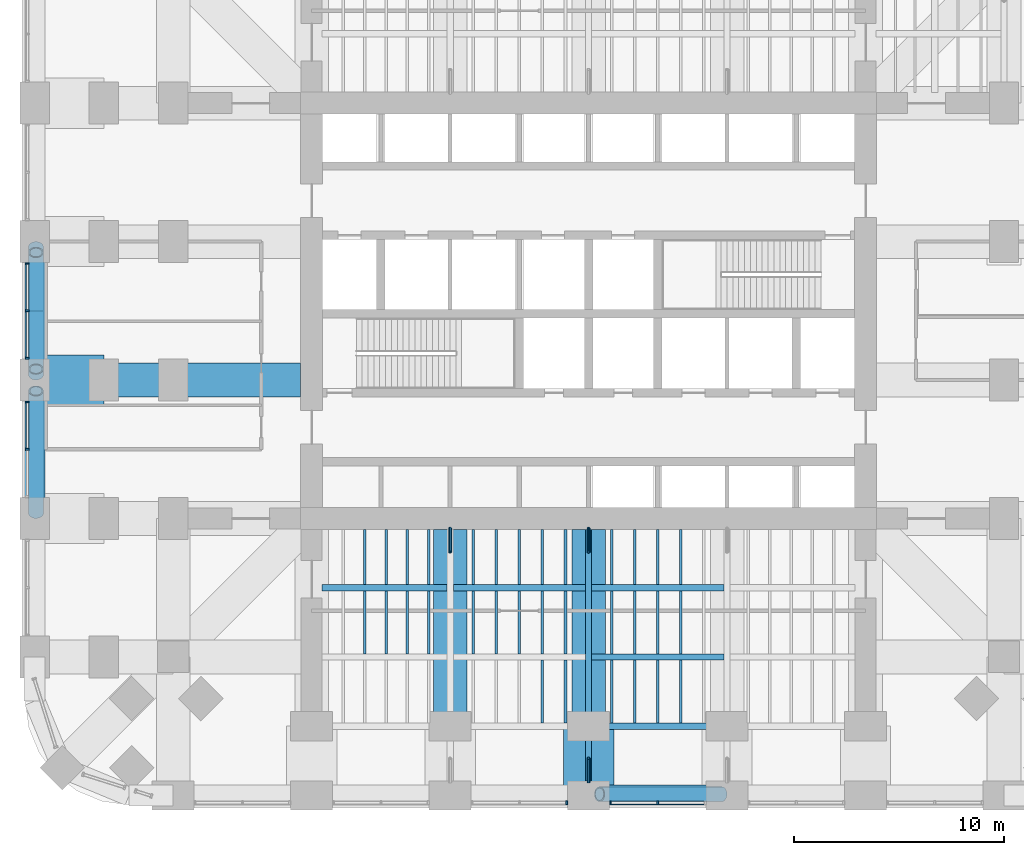
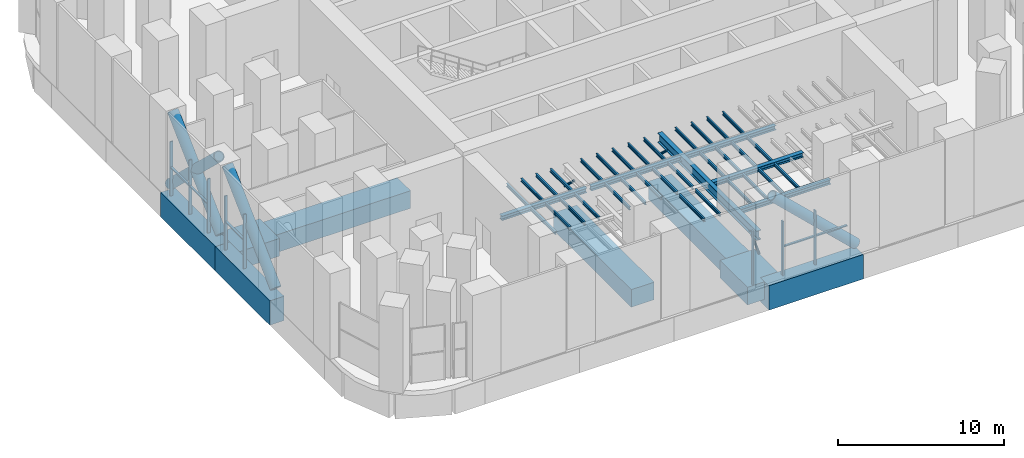
# One storey, part 3 of 17: 46 beams, 20 members, 4 elements without a shape of their own.
"""IFC4 building model written with IfcOpenShell, lengths in metres."""

from ifc_helpers import new_model, si_unit, direction, frame, origin, origin_2d, place, context, subcontext, project, spatial, rectangle, hollow_circle, i_section, extrude, material, material_profile, profile_set, type_object, element, aggregate, save


model = new_model("IFC4")

# Units and contexts
model_context = context("Model", 3, precision=1e-05, world=origin(), true_north=direction((0.0, 1.0)))
body_context = subcontext(model_context, "Body", "Model", "MODEL_VIEW")
ifc_project = project(units=[si_unit("LENGTHUNIT", "METRE"), si_unit("AREAUNIT", "SQUARE_METRE"), si_unit("VOLUMEUNIT", "CUBIC_METRE"), si_unit("PLANEANGLEUNIT", "RADIAN"), si_unit("MASSUNIT", "GRAM", prefix="KILO")], contexts=[model_context])

# Site, building, storey
site_placement = place(None, origin())
site = spatial("IfcSite", under=ifc_project, at=site_placement, CompositionType="ELEMENT")
building_placement = place(site_placement, origin())
building = spatial("IfcBuilding", under=site, at=building_placement, Name="Cobogo Forest Laboratory Tower", CompositionType="ELEMENT")
storey_placement = place(building_placement, frame((0.0, 0.0, 75.89990234375)))
storey = spatial("IfcBuildingStorey", under=building, at=storey_placement, Name="L17", CompositionType="ELEMENT", Elevation=75.89990234375)

# Members
ifc_material_1 = material(Name="Steel S460NH", Category="steel")
ifc_material_profile_1 = material_profile(ifc_material_1, hollow_circle(Radius=0.35546875, WallThickness=0.06005859375, at=origin_2d()), Name="CHS 711x60")
ifc_profile_set_1 = profile_set([ifc_material_profile_1], Name="Steel S460NH")
member_type_1 = type_object("IfcMemberType", Name="Belt truss diagonal CHS 711x60", PredefinedType="BRACE", material=ifc_profile_set_1)
for number, where, z_axis, x_axis, name in (
    (1, (32.75, 0.06005859375, 0.23876953125), (-0.723363796511, 0.0, 0.690467101242), (0.0, -1.0, 0.0), "BT1 belt truss diagonal S04 L17"),
    (2, (0.06005859375, 13.449951171875, 0.23876953125), (0.0, 0.723363796511, 0.690467101242), (-1.0, 0.0, 0.0), "BT1 belt truss diagonal W20 L17"),
    (3, (0.06005859375, 20.050048828125, 0.23876953125), (0.0, 0.723349354665, 0.69048223084), (-1.0, 0.0, 0.0), "BT1 belt truss diagonal W21 L17"),
    (4, (0.06005859375, 26.14990234375, 0.23876953125), (0.0, -0.723349354665, 0.69048223084), (1.0, 0.0, 0.0), "BT1 belt truss diagonal W22 L17"),
):
    element("IfcMember", number, at=place(storey_placement, frame(where, z_axis=z_axis, x_axis=x_axis)), inside=storey, type_object=member_type_1, Name=name, PredefinedType="BRACE", context=body_context, shape_type="SweptSolid", body=[
        extrude(hollow_circle(Radius=0.35546875, WallThickness=0.06005859375, at=origin_2d()), origin(), (0.0, 0.0, 1.0), 8.0595703125),
    ])

# Curtain wall, member
ifc_material_2 = material(Name="Aluminium curtain wall", Category="aluminium")
curtain_wall_type = type_object("IfcCurtainWallType", Name="CW-P louvred curtain wall, plant floors", PredefinedType="USERDEFINED", material=ifc_material_2)
curtain_wall_1_placement = place(storey_placement, origin())
curtain_wall_1 = element("IfcCurtainWall", 5, at=curtain_wall_1_placement, inside=storey, type_object=curtain_wall_type, Name="Curtain wall 03 L17", ObjectType="LOUVRED CURTAIN WALL", PredefinedType="USERDEFINED")
ifc_material_3 = material(Name="Aluminium mullion", Category="aluminium")
ifc_material_profile_2 = material_profile(ifc_material_3, rectangle(XDim=0.080078125, YDim=0.199951171875, at=origin_2d()), Name="AL 80x200")
ifc_profile_set_2 = profile_set([ifc_material_profile_2], Name="Aluminium mullion")
member_type_2 = type_object("IfcMemberType", Name="MU-3 aluminium louvre mullion 80x200", PredefinedType="MULLION", material=ifc_profile_set_2)
member_1_placement = place(storey_placement, frame((25.360107421875, -0.35009765625, 0.0), z_axis=(0.0, 0.0, 1.0), x_axis=(1.0, 0.0, 0.0)))
member_1 = element("IfcMember", 6, at=member_1_placement, type_object=member_type_2, Name="CW-P mullion 3", PredefinedType="MULLION", context=body_context, shape_type="SweptSolid", body=[
    extrude(rectangle(XDim=0.080078125, YDim=0.199951171875, at=origin_2d()), origin(), (0.0, 0.0, 1.0), 4.0),
])
aggregate(curtain_wall_1, [member_1])

# Curtain wall, members
curtain_wall_2_placement = place(storey_placement, origin())
curtain_wall_2 = element("IfcCurtainWall", 7, at=curtain_wall_2_placement, inside=storey, type_object=curtain_wall_type, Name="Curtain wall 04 L17", ObjectType="LOUVRED CURTAIN WALL", PredefinedType="USERDEFINED")
member_2_placement = place(storey_placement, frame((27.43994140625, -0.35009765625, 0.0), z_axis=(0.0, 0.0, 1.0), x_axis=(1.0, 0.0, 0.0)))
member_2 = element("IfcMember", 8, at=member_2_placement, type_object=member_type_2, Name="CW-P mullion 1", PredefinedType="MULLION", context=body_context, shape_type="SweptSolid", body=[
    extrude(rectangle(XDim=0.080078125, YDim=0.199951171875, at=origin_2d()), origin(), (0.0, 0.0, 1.0), 4.0),
])
member_3_placement = place(storey_placement, frame((29.699951171875, -0.35009765625, 0.0), z_axis=(0.0, 0.0, 1.0), x_axis=(1.0, 0.0, 0.0)))
member_3 = element("IfcMember", 9, at=member_3_placement, type_object=member_type_2, Name="CW-P mullion 2", PredefinedType="MULLION", context=body_context, shape_type="SweptSolid", body=[
    extrude(rectangle(XDim=0.080078125, YDim=0.199951171875, at=origin_2d()), origin(), (0.0, 0.0, 1.0), 4.0),
])

curtain_wall_3_placement = place(storey_placement, origin())
curtain_wall_3 = element("IfcCurtainWall", 10, at=curtain_wall_3_placement, inside=storey, type_object=curtain_wall_type, Name="Curtain wall 29 L17", ObjectType="LOUVRED CURTAIN WALL", PredefinedType="USERDEFINED")
member_4_placement = place(storey_placement, frame((-0.35009765625, 25.360107421875, 0.0), z_axis=(0.0, 0.0, 1.0), x_axis=(0.0, -1.0, 0.0)))
member_4 = element("IfcMember", 11, at=member_4_placement, type_object=member_type_2, Name="CW-P mullion 1", PredefinedType="MULLION", context=body_context, shape_type="SweptSolid", body=[
    extrude(rectangle(XDim=0.080078125, YDim=0.199951171875, at=origin_2d()), origin(), (0.0, 0.0, 1.0), 4.0),
])
member_5_placement = place(storey_placement, frame((-0.35009765625, 23.10009765625, 0.0), z_axis=(0.0, 0.0, 1.0), x_axis=(0.0, -1.0, 0.0)))
member_5 = element("IfcMember", 12, at=member_5_placement, type_object=member_type_2, Name="CW-P mullion 2", PredefinedType="MULLION", context=body_context, shape_type="SweptSolid", body=[
    extrude(rectangle(XDim=0.080078125, YDim=0.199951171875, at=origin_2d()), origin(), (0.0, 0.0, 1.0), 4.0),
])
member_6_placement = place(storey_placement, frame((-0.35009765625, 20.840087890625, 0.0), z_axis=(0.0, 0.0, 1.0), x_axis=(0.0, -1.0, 0.0)))
member_6 = element("IfcMember", 13, at=member_6_placement, type_object=member_type_2, Name="CW-P mullion 3", PredefinedType="MULLION", context=body_context, shape_type="SweptSolid", body=[
    extrude(rectangle(XDim=0.080078125, YDim=0.199951171875, at=origin_2d()), origin(), (0.0, 0.0, 1.0), 4.0),
])

curtain_wall_4_placement = place(storey_placement, origin())
curtain_wall_4 = element("IfcCurtainWall", 14, at=curtain_wall_4_placement, inside=storey, type_object=curtain_wall_type, Name="Curtain wall 30 L17", ObjectType="LOUVRED CURTAIN WALL", PredefinedType="USERDEFINED")
member_7_placement = place(storey_placement, frame((-0.35009765625, 18.760009765625, 0.0), z_axis=(0.0, 0.0, 1.0), x_axis=(0.0, -1.0, 0.0)))
member_7 = element("IfcMember", 15, at=member_7_placement, type_object=member_type_2, Name="CW-P mullion 1", PredefinedType="MULLION", context=body_context, shape_type="SweptSolid", body=[
    extrude(rectangle(XDim=0.080078125, YDim=0.199951171875, at=origin_2d()), origin(), (0.0, 0.0, 1.0), 4.0),
])
member_8_placement = place(storey_placement, frame((-0.35009765625, 16.5, 0.0), z_axis=(0.0, 0.0, 1.0), x_axis=(0.0, -1.0, 0.0)))
member_8 = element("IfcMember", 16, at=member_8_placement, type_object=member_type_2, Name="CW-P mullion 2", PredefinedType="MULLION", context=body_context, shape_type="SweptSolid", body=[
    extrude(rectangle(XDim=0.080078125, YDim=0.199951171875, at=origin_2d()), origin(), (0.0, 0.0, 1.0), 4.0),
])

# Beams
ifc_material_4 = material(Name="Concrete HA-40 (C40/50)", Category="concrete")
ifc_material_profile_3 = material_profile(ifc_material_4, rectangle(XDim=1.60009765625, YDim=1.300048828125, at=origin_2d()), Name="RC 1600x1300")
ifc_profile_set_3 = profile_set([ifc_material_profile_3], Name="Concrete HA-40 (C40/50)")
beam_type_1 = type_object("IfcBeamType", Name="Plant and roof garden wide beam 1600x1300", PredefinedType="BEAM", material=ifc_profile_set_3)
for number, where, z_axis, x_axis, name in (
    (17, (19.800048828125, 12.675048828125, -1.0), (0.0, -1.0, 0.0), (1.0, 0.0, 0.0), "RB4 R-4-S L17"),
    (18, (26.39990234375, 12.675048828125, -1.0), (0.0, -1.0, 0.0), (1.0, 0.0, 0.0), "RB4 R-5-S L17"),
    (19, (12.675048828125, 19.800048828125, -1.0), (-1.0, 0.0, 0.0), (0.0, -1.0, 0.0), "RB4 R-D-W L17"),
):
    element("IfcBeam", number, at=place(storey_placement, frame(where, z_axis=z_axis, x_axis=x_axis)), inside=storey, type_object=beam_type_1, Name=name, PredefinedType="BEAM", context=body_context, shape_type="SweptSolid", body=[
        extrude(rectangle(XDim=1.60009765625, YDim=1.300048828125, at=origin_2d()), origin(), (0.0, 0.0, 1.0), 9.375),
    ])
ifc_material_5 = material(Name="Concrete HA-50 (C50/60)", Category="concrete")
ifc_material_profile_4 = material_profile(ifc_material_5, rectangle(XDim=2.39990234375, YDim=1.300048828125, at=origin_2d()), Name="RC 2400x1300")
ifc_profile_set_4 = profile_set([ifc_material_profile_4], Name="Concrete HA-50 (C50/60)")
beam_type_2 = type_object("IfcBeamType", Name="Plant floor end-bay beam 2400x1300", PredefinedType="BEAM", material=ifc_profile_set_4)
for number, where, z_axis, x_axis, name in (
    (20, (26.39990234375, 0.0, -1.0), (0.0, 1.0, 0.0), (-1.0, 0.0, 0.0), "RB6 R-5-S-X L17"),
    (21, (0.0, 19.800048828125, -1.0), (1.0, 0.0, 0.0), (0.0, 1.0, 0.0), "RB6 R-D-W-X L17"),
):
    element("IfcBeam", number, at=place(storey_placement, frame(where, z_axis=z_axis, x_axis=x_axis)), inside=storey, type_object=beam_type_2, Name=name, PredefinedType="BEAM", context=body_context, shape_type="SweptSolid", body=[
        extrude(rectangle(XDim=2.39990234375, YDim=1.300048828125, at=origin_2d()), origin(), (0.0, 0.0, 1.0), 3.300048828125),
    ])
ifc_material_profile_5 = material_profile(ifc_material_4, rectangle(XDim=1.0, YDim=1.800048828125, at=origin_2d()), Name="RC 1000x1800")
ifc_profile_set_5 = profile_set([ifc_material_profile_5], Name="Concrete HA-40 (C40/50)")
beam_type_3 = type_object("IfcBeamType", Name="Plant floor perimeter girder 1000x1800", PredefinedType="BEAM", material=ifc_profile_set_5)
for number, where, z_axis, x_axis, name in (
    (22, (26.39990234375, 0.0, -1.25), (1.0, 0.0, 0.0), (0.0, 1.0, 0.0), "TG1 E-S4 L17"),
    (23, (0.0, 13.199951171875, -1.25), (0.0, 1.0, 0.0), (-1.0, 0.0, 0.0), "TG1 E-W2 L17"),
):
    element("IfcBeam", number, at=place(storey_placement, frame(where, z_axis=z_axis, x_axis=x_axis)), inside=storey, type_object=beam_type_3, Name=name, PredefinedType="BEAM", context=body_context, shape_type="SweptSolid", body=[
        extrude(rectangle(XDim=1.0, YDim=1.800048828125, at=origin_2d()), origin(), (0.0, 0.0, 1.0), 6.60009765625),
    ])
beam_1_placement = place(storey_placement, frame((0.0, 19.800048828125, -1.25), z_axis=(0.0, 1.0, 0.0), x_axis=(-1.0, 0.0, 0.0)))
element("IfcBeam", 24, at=beam_1_placement, inside=storey, type_object=beam_type_3, Name="TG1 E-W3 L17", PredefinedType="BEAM", context=body_context, shape_type="SweptSolid", body=[
    extrude(rectangle(XDim=1.0, YDim=1.800048828125, at=origin_2d()), origin(), (0.0, 0.0, 1.0), 6.599853515625),
])

# Members
ifc_material_6 = material(Name="Steel S355", Category="steel")
ifc_material_profile_6 = material_profile(ifc_material_6, hollow_circle(Radius=0.084228515625, WallThickness=0.008056640625, at=origin_2d()), Name="CHS 168.3x8")
ifc_profile_set_6 = profile_set([ifc_material_profile_6], Name="Steel S355")
member_type_3 = type_object("IfcMemberType", Name="Plant knee brace CHS 168.3x8", PredefinedType="BRACE", material=ifc_profile_set_6)
for number, where, z_axis, x_axis, name in (
    (25, (19.800048828125, 12.734619140625, 1.300048828125), (0.0, -0.727221301203, 0.686403073329), (1.0, 0.0, 0.0), "PX1 AHU-S knee brace 4-2 L17"),
    (26, (26.39990234375, 0.640380859375, 1.300048828125), (0.0, 0.727221301203, 0.686403073329), (-1.0, 0.0, 0.0), "PX1 AHU-S knee brace 5-1 L17"),
    (27, (26.39990234375, 12.734619140625, 1.300048828125), (0.0, -0.727221301203, 0.686403073329), (1.0, 0.0, 0.0), "PX1 AHU-S knee brace 5-2 L17"),
):
    element("IfcMember", number, at=place(storey_placement, frame(where, z_axis=z_axis, x_axis=x_axis)), inside=storey, type_object=member_type_3, Name=name, PredefinedType="BRACE", context=body_context, shape_type="SweptSolid", body=[
        extrude(hollow_circle(Radius=0.084228515625, WallThickness=0.008056640625, at=origin_2d()), origin(), (0.0, 0.0, 1.0), 1.56103515625),
    ])

# Beams
ifc_material_profile_7 = material_profile(ifc_material_6, i_section(OverallWidth=0.300048828125, OverallDepth=0.330078125, WebThickness=0.009521484375, FlangeThickness=0.0166015625, FilletRadius=0.027099609375, at=origin_2d()), Name="HEA 340")
ifc_profile_set_7 = profile_set([ifc_material_profile_7], Name="Steel S355")
beam_type_4 = type_object("IfcBeamType", Name="Plant platform beam HEA 340", PredefinedType="BEAM", material=ifc_profile_set_7)
for number, where, z_axis, x_axis, name in (
    (28, (26.550048828125, 3.300048828125, 2.835205078125), (1.0, 0.0, 0.0), (0.0, 1.0, 0.0), "PB1 AHU-S platform beam 3 at 3300 L17"),
    (29, (26.550048828125, 6.60009765625, 2.835205078125), (1.0, 0.0, 0.0), (0.0, 1.0, 0.0), "PB1 AHU-S platform beam 3 at 6600 L17"),
):
    element("IfcBeam", number, at=place(storey_placement, frame(where, z_axis=z_axis, x_axis=x_axis)), inside=storey, type_object=beam_type_4, Name=name, PredefinedType="BEAM", context=body_context, shape_type="SweptSolid", body=[
        extrude(i_section(OverallWidth=0.300048828125, OverallDepth=0.330078125, WebThickness=0.009521484375, FlangeThickness=0.0166015625, FilletRadius=0.027099609375, at=origin_2d()), origin(), (0.0, 0.0, 1.0), 6.300048828125),
    ])
beam_2_placement = place(storey_placement, frame((13.699951171875, 9.89990234375, 2.835205078125), z_axis=(1.0, 0.0, 0.0), x_axis=(0.0, 1.0, 0.0)))
element("IfcBeam", 30, at=beam_2_placement, inside=storey, type_object=beam_type_4, Name="PB1 AHU-S platform beam 1 at 9900 L17", PredefinedType="BEAM", context=body_context, shape_type="SweptSolid", body=[
    extrude(i_section(OverallWidth=0.300048828125, OverallDepth=0.330078125, WebThickness=0.009521484375, FlangeThickness=0.0166015625, FilletRadius=0.027099609375, at=origin_2d()), origin(), (0.0, 0.0, 1.0), 5.949951171875),
])
for number, where, z_axis, x_axis, name in (
    (31, (19.949951171875, 9.89990234375, 2.835205078125), (1.0, 0.0, 0.0), (0.0, 1.0, 0.0), "PB1 AHU-S platform beam 2 at 9900 L17"),
    (32, (26.550048828125, 9.89990234375, 2.835205078125), (1.0, 0.0, 0.0), (0.0, 1.0, 0.0), "PB1 AHU-S platform beam 3 at 9900 L17"),
):
    element("IfcBeam", number, at=place(storey_placement, frame(where, z_axis=z_axis, x_axis=x_axis)), inside=storey, type_object=beam_type_4, Name=name, PredefinedType="BEAM", context=body_context, shape_type="SweptSolid", body=[
        extrude(i_section(OverallWidth=0.300048828125, OverallDepth=0.330078125, WebThickness=0.009521484375, FlangeThickness=0.0166015625, FilletRadius=0.027099609375, at=origin_2d()), origin(), (0.0, 0.0, 1.0), 6.300048828125),
    ])
ifc_material_profile_8 = material_profile(ifc_material_6, i_section(OverallWidth=0.300048828125, OverallDepth=0.699951171875, WebThickness=0.01708984375, FlangeThickness=0.031982421875, FilletRadius=0.027099609375, at=origin_2d()), Name="HEB 700")
ifc_profile_set_8 = profile_set([ifc_material_profile_8], Name="Steel S355")
beam_type_5 = type_object("IfcBeamType", Name="Plant platform girder HEB 700", PredefinedType="BEAM", material=ifc_profile_set_8)
beam_3_placement = place(storey_placement, frame((26.39990234375, 0.699951171875, 2.650146484375), z_axis=(0.0, 1.0, 0.0), x_axis=(-1.0, 0.0, 0.0)))
element("IfcBeam", 33, at=beam_3_placement, inside=storey, type_object=beam_type_5, Name="PG1 AHU-S girder 5 L17", PredefinedType="BEAM", context=body_context, shape_type="SweptSolid", body=[
    extrude(i_section(OverallWidth=0.300048828125, OverallDepth=0.699951171875, WebThickness=0.01708984375, FlangeThickness=0.031982421875, FilletRadius=0.027099609375, at=origin_2d()), origin(), (0.0, 0.0, 1.0), 11.97509765625),
])
ifc_material_profile_9 = material_profile(ifc_material_6, i_section(OverallWidth=0.1201171875, OverallDepth=0.239990234375, WebThickness=0.006103515625, FlangeThickness=0.009765625, FilletRadius=0.014892578125, at=origin_2d()), Name="IPE 240")
ifc_profile_set_9 = profile_set([ifc_material_profile_9], Name="Steel S355")
beam_type_6 = type_object("IfcBeamType", Name="Plant platform joist IPE 240", PredefinedType="JOIST", material=ifc_profile_set_9)
beam_4_placement = place(storey_placement, frame((15.7333984375, 6.75, 2.880126953125), z_axis=(0.0, 1.0, 0.0), x_axis=(-1.0, 0.0, 0.0)))
element("IfcBeam", 34, at=beam_4_placement, inside=storey, type_object=beam_type_6, Name="PJ1 AHU-S joist 1.2 row 2 L17", PredefinedType="JOIST", context=body_context, shape_type="SweptSolid", body=[
    extrude(i_section(OverallWidth=0.1201171875, OverallDepth=0.239990234375, WebThickness=0.006103515625, FlangeThickness=0.009765625, FilletRadius=0.014892578125, at=origin_2d()), origin(), (0.0, 0.0, 1.0), 3.0),
])
beam_5_placement = place(storey_placement, frame((15.7333984375, 10.050048828125, 2.880126953125), z_axis=(0.0, 1.0, 0.0), x_axis=(-1.0, 0.0, 0.0)))
element("IfcBeam", 35, at=beam_5_placement, inside=storey, type_object=beam_type_6, Name="PJ1 AHU-S joist 1.2 row 3 L17", PredefinedType="JOIST", context=body_context, shape_type="SweptSolid", body=[
    extrude(i_section(OverallWidth=0.1201171875, OverallDepth=0.239990234375, WebThickness=0.006103515625, FlangeThickness=0.009765625, FilletRadius=0.014892578125, at=origin_2d()), origin(), (0.0, 0.0, 1.0), 2.625),
])
beam_6_placement = place(storey_placement, frame((16.75, 6.75, 2.880126953125), z_axis=(0.0, 1.0, 0.0), x_axis=(-1.0, 0.0, 0.0)))
element("IfcBeam", 36, at=beam_6_placement, inside=storey, type_object=beam_type_6, Name="PJ1 AHU-S joist 1.3 row 2 L17", PredefinedType="JOIST", context=body_context, shape_type="SweptSolid", body=[
    extrude(i_section(OverallWidth=0.1201171875, OverallDepth=0.239990234375, WebThickness=0.006103515625, FlangeThickness=0.009765625, FilletRadius=0.014892578125, at=origin_2d()), origin(), (0.0, 0.0, 1.0), 3.0),
])
beam_7_placement = place(storey_placement, frame((16.75, 10.050048828125, 2.880126953125), z_axis=(0.0, 1.0, 0.0), x_axis=(-1.0, 0.0, 0.0)))
element("IfcBeam", 37, at=beam_7_placement, inside=storey, type_object=beam_type_6, Name="PJ1 AHU-S joist 1.3 row 3 L17", PredefinedType="JOIST", context=body_context, shape_type="SweptSolid", body=[
    extrude(i_section(OverallWidth=0.1201171875, OverallDepth=0.239990234375, WebThickness=0.006103515625, FlangeThickness=0.009765625, FilletRadius=0.014892578125, at=origin_2d()), origin(), (0.0, 0.0, 1.0), 2.625),
])
beam_8_placement = place(storey_placement, frame((17.7666015625, 6.75, 2.880126953125), z_axis=(0.0, 1.0, 0.0), x_axis=(-1.0, 0.0, 0.0)))
element("IfcBeam", 38, at=beam_8_placement, inside=storey, type_object=beam_type_6, Name="PJ1 AHU-S joist 1.4 row 2 L17", PredefinedType="JOIST", context=body_context, shape_type="SweptSolid", body=[
    extrude(i_section(OverallWidth=0.1201171875, OverallDepth=0.239990234375, WebThickness=0.006103515625, FlangeThickness=0.009765625, FilletRadius=0.014892578125, at=origin_2d()), origin(), (0.0, 0.0, 1.0), 3.0),
])
beam_9_placement = place(storey_placement, frame((17.7666015625, 10.050048828125, 2.880126953125), z_axis=(0.0, 1.0, 0.0), x_axis=(-1.0, 0.0, 0.0)))
element("IfcBeam", 39, at=beam_9_placement, inside=storey, type_object=beam_type_6, Name="PJ1 AHU-S joist 1.4 row 3 L17", PredefinedType="JOIST", context=body_context, shape_type="SweptSolid", body=[
    extrude(i_section(OverallWidth=0.1201171875, OverallDepth=0.239990234375, WebThickness=0.006103515625, FlangeThickness=0.009765625, FilletRadius=0.014892578125, at=origin_2d()), origin(), (0.0, 0.0, 1.0), 2.625),
])
beam_10_placement = place(storey_placement, frame((18.783447265625, 6.75, 2.880126953125), z_axis=(0.0, 1.0, 0.0), x_axis=(-1.0, 0.0, 0.0)))
element("IfcBeam", 40, at=beam_10_placement, inside=storey, type_object=beam_type_6, Name="PJ1 AHU-S joist 1.5 row 2 L17", PredefinedType="JOIST", context=body_context, shape_type="SweptSolid", body=[
    extrude(i_section(OverallWidth=0.1201171875, OverallDepth=0.239990234375, WebThickness=0.006103515625, FlangeThickness=0.009765625, FilletRadius=0.014892578125, at=origin_2d()), origin(), (0.0, 0.0, 1.0), 3.0),
])
beam_11_placement = place(storey_placement, frame((18.783447265625, 10.050048828125, 2.880126953125), z_axis=(0.0, 1.0, 0.0), x_axis=(-1.0, 0.0, 0.0)))
element("IfcBeam", 41, at=beam_11_placement, inside=storey, type_object=beam_type_6, Name="PJ1 AHU-S joist 1.5 row 3 L17", PredefinedType="JOIST", context=body_context, shape_type="SweptSolid", body=[
    extrude(i_section(OverallWidth=0.1201171875, OverallDepth=0.239990234375, WebThickness=0.006103515625, FlangeThickness=0.009765625, FilletRadius=0.014892578125, at=origin_2d()), origin(), (0.0, 0.0, 1.0), 2.625),
])
beam_12_placement = place(storey_placement, frame((20.89990234375, 6.75, 2.880126953125), z_axis=(0.0, 1.0, 0.0), x_axis=(-1.0, 0.0, 0.0)))
element("IfcBeam", 42, at=beam_12_placement, inside=storey, type_object=beam_type_6, Name="PJ1 AHU-S joist 2.1 row 2 L17", PredefinedType="JOIST", context=body_context, shape_type="SweptSolid", body=[
    extrude(i_section(OverallWidth=0.1201171875, OverallDepth=0.239990234375, WebThickness=0.006103515625, FlangeThickness=0.009765625, FilletRadius=0.014892578125, at=origin_2d()), origin(), (0.0, 0.0, 1.0), 3.0),
])
beam_13_placement = place(storey_placement, frame((20.89990234375, 10.050048828125, 2.880126953125), z_axis=(0.0, 1.0, 0.0), x_axis=(-1.0, 0.0, 0.0)))
element("IfcBeam", 43, at=beam_13_placement, inside=storey, type_object=beam_type_6, Name="PJ1 AHU-S joist 2.1 row 3 L17", PredefinedType="JOIST", context=body_context, shape_type="SweptSolid", body=[
    extrude(i_section(OverallWidth=0.1201171875, OverallDepth=0.239990234375, WebThickness=0.006103515625, FlangeThickness=0.009765625, FilletRadius=0.014892578125, at=origin_2d()), origin(), (0.0, 0.0, 1.0), 2.625),
])
beam_14_placement = place(storey_placement, frame((22.0, 6.75, 2.880126953125), z_axis=(0.0, 1.0, 0.0), x_axis=(-1.0, 0.0, 0.0)))
element("IfcBeam", 44, at=beam_14_placement, inside=storey, type_object=beam_type_6, Name="PJ1 AHU-S joist 2.2 row 2 L17", PredefinedType="JOIST", context=body_context, shape_type="SweptSolid", body=[
    extrude(i_section(OverallWidth=0.1201171875, OverallDepth=0.239990234375, WebThickness=0.006103515625, FlangeThickness=0.009765625, FilletRadius=0.014892578125, at=origin_2d()), origin(), (0.0, 0.0, 1.0), 3.0),
])
beam_15_placement = place(storey_placement, frame((22.0, 10.050048828125, 2.880126953125), z_axis=(0.0, 1.0, 0.0), x_axis=(-1.0, 0.0, 0.0)))
element("IfcBeam", 45, at=beam_15_placement, inside=storey, type_object=beam_type_6, Name="PJ1 AHU-S joist 2.2 row 3 L17", PredefinedType="JOIST", context=body_context, shape_type="SweptSolid", body=[
    extrude(i_section(OverallWidth=0.1201171875, OverallDepth=0.239990234375, WebThickness=0.006103515625, FlangeThickness=0.009765625, FilletRadius=0.014892578125, at=origin_2d()), origin(), (0.0, 0.0, 1.0), 2.625),
])
beam_16_placement = place(storey_placement, frame((23.10009765625, 6.75, 2.880126953125), z_axis=(0.0, 1.0, 0.0), x_axis=(-1.0, 0.0, 0.0)))
element("IfcBeam", 46, at=beam_16_placement, inside=storey, type_object=beam_type_6, Name="PJ1 AHU-S joist 2.3 row 2 L17", PredefinedType="JOIST", context=body_context, shape_type="SweptSolid", body=[
    extrude(i_section(OverallWidth=0.1201171875, OverallDepth=0.239990234375, WebThickness=0.006103515625, FlangeThickness=0.009765625, FilletRadius=0.014892578125, at=origin_2d()), origin(), (0.0, 0.0, 1.0), 3.0),
])
beam_17_placement = place(storey_placement, frame((23.10009765625, 10.050048828125, 2.880126953125), z_axis=(0.0, 1.0, 0.0), x_axis=(-1.0, 0.0, 0.0)))
element("IfcBeam", 47, at=beam_17_placement, inside=storey, type_object=beam_type_6, Name="PJ1 AHU-S joist 2.3 row 3 L17", PredefinedType="JOIST", context=body_context, shape_type="SweptSolid", body=[
    extrude(i_section(OverallWidth=0.1201171875, OverallDepth=0.239990234375, WebThickness=0.006103515625, FlangeThickness=0.009765625, FilletRadius=0.014892578125, at=origin_2d()), origin(), (0.0, 0.0, 1.0), 2.625),
])
for number, where, z_axis, x_axis, name in (
    (48, (24.199951171875, 3.449951171875, 2.880126953125), (0.0, 1.0, 0.0), (-1.0, 0.0, 0.0), "PJ1 AHU-S joist 2.4 row 1 L17"),
    (49, (24.199951171875, 6.75, 2.880126953125), (0.0, 1.0, 0.0), (-1.0, 0.0, 0.0), "PJ1 AHU-S joist 2.4 row 2 L17"),
):
    element("IfcBeam", number, at=place(storey_placement, frame(where, z_axis=z_axis, x_axis=x_axis)), inside=storey, type_object=beam_type_6, Name=name, PredefinedType="JOIST", context=body_context, shape_type="SweptSolid", body=[
        extrude(i_section(OverallWidth=0.1201171875, OverallDepth=0.239990234375, WebThickness=0.006103515625, FlangeThickness=0.009765625, FilletRadius=0.014892578125, at=origin_2d()), origin(), (0.0, 0.0, 1.0), 3.0),
    ])
beam_18_placement = place(storey_placement, frame((24.199951171875, 10.050048828125, 2.880126953125), z_axis=(0.0, 1.0, 0.0), x_axis=(-1.0, 0.0, 0.0)))
element("IfcBeam", 50, at=beam_18_placement, inside=storey, type_object=beam_type_6, Name="PJ1 AHU-S joist 2.4 row 3 L17", PredefinedType="JOIST", context=body_context, shape_type="SweptSolid", body=[
    extrude(i_section(OverallWidth=0.1201171875, OverallDepth=0.239990234375, WebThickness=0.006103515625, FlangeThickness=0.009765625, FilletRadius=0.014892578125, at=origin_2d()), origin(), (0.0, 0.0, 1.0), 2.625),
])
for number, where, z_axis, x_axis, name in (
    (51, (25.300048828125, 3.449951171875, 2.880126953125), (0.0, 1.0, 0.0), (-1.0, 0.0, 0.0), "PJ1 AHU-S joist 2.5 row 1 L17"),
    (52, (25.300048828125, 6.75, 2.880126953125), (0.0, 1.0, 0.0), (-1.0, 0.0, 0.0), "PJ1 AHU-S joist 2.5 row 2 L17"),
):
    element("IfcBeam", number, at=place(storey_placement, frame(where, z_axis=z_axis, x_axis=x_axis)), inside=storey, type_object=beam_type_6, Name=name, PredefinedType="JOIST", context=body_context, shape_type="SweptSolid", body=[
        extrude(i_section(OverallWidth=0.1201171875, OverallDepth=0.239990234375, WebThickness=0.006103515625, FlangeThickness=0.009765625, FilletRadius=0.014892578125, at=origin_2d()), origin(), (0.0, 0.0, 1.0), 3.0),
    ])
beam_19_placement = place(storey_placement, frame((25.300048828125, 10.050048828125, 2.880126953125), z_axis=(0.0, 1.0, 0.0), x_axis=(-1.0, 0.0, 0.0)))
element("IfcBeam", 53, at=beam_19_placement, inside=storey, type_object=beam_type_6, Name="PJ1 AHU-S joist 2.5 row 3 L17", PredefinedType="JOIST", context=body_context, shape_type="SweptSolid", body=[
    extrude(i_section(OverallWidth=0.1201171875, OverallDepth=0.239990234375, WebThickness=0.006103515625, FlangeThickness=0.009765625, FilletRadius=0.014892578125, at=origin_2d()), origin(), (0.0, 0.0, 1.0), 2.625),
])
for number, where, z_axis, x_axis, name in (
    (54, (27.5, 3.449951171875, 2.880126953125), (0.0, 1.0, 0.0), (-1.0, 0.0, 0.0), "PJ1 AHU-S joist 3.1 row 1 L17"),
    (55, (27.5, 6.75, 2.880126953125), (0.0, 1.0, 0.0), (-1.0, 0.0, 0.0), "PJ1 AHU-S joist 3.1 row 2 L17"),
):
    element("IfcBeam", number, at=place(storey_placement, frame(where, z_axis=z_axis, x_axis=x_axis)), inside=storey, type_object=beam_type_6, Name=name, PredefinedType="JOIST", context=body_context, shape_type="SweptSolid", body=[
        extrude(i_section(OverallWidth=0.1201171875, OverallDepth=0.239990234375, WebThickness=0.006103515625, FlangeThickness=0.009765625, FilletRadius=0.014892578125, at=origin_2d()), origin(), (0.0, 0.0, 1.0), 3.0),
    ])
beam_20_placement = place(storey_placement, frame((27.5, 10.050048828125, 2.880126953125), z_axis=(0.0, 1.0, 0.0), x_axis=(-1.0, 0.0, 0.0)))
element("IfcBeam", 56, at=beam_20_placement, inside=storey, type_object=beam_type_6, Name="PJ1 AHU-S joist 3.1 row 3 L17", PredefinedType="JOIST", context=body_context, shape_type="SweptSolid", body=[
    extrude(i_section(OverallWidth=0.1201171875, OverallDepth=0.239990234375, WebThickness=0.006103515625, FlangeThickness=0.009765625, FilletRadius=0.014892578125, at=origin_2d()), origin(), (0.0, 0.0, 1.0), 2.625),
])
for number, where, z_axis, x_axis, name in (
    (57, (28.60009765625, 3.449951171875, 2.880126953125), (0.0, 1.0, 0.0), (-1.0, 0.0, 0.0), "PJ1 AHU-S joist 3.2 row 1 L17"),
    (58, (28.60009765625, 6.75, 2.880126953125), (0.0, 1.0, 0.0), (-1.0, 0.0, 0.0), "PJ1 AHU-S joist 3.2 row 2 L17"),
):
    element("IfcBeam", number, at=place(storey_placement, frame(where, z_axis=z_axis, x_axis=x_axis)), inside=storey, type_object=beam_type_6, Name=name, PredefinedType="JOIST", context=body_context, shape_type="SweptSolid", body=[
        extrude(i_section(OverallWidth=0.1201171875, OverallDepth=0.239990234375, WebThickness=0.006103515625, FlangeThickness=0.009765625, FilletRadius=0.014892578125, at=origin_2d()), origin(), (0.0, 0.0, 1.0), 3.0),
    ])
beam_21_placement = place(storey_placement, frame((28.60009765625, 10.050048828125, 2.880126953125), z_axis=(0.0, 1.0, 0.0), x_axis=(-1.0, 0.0, 0.0)))
element("IfcBeam", 59, at=beam_21_placement, inside=storey, type_object=beam_type_6, Name="PJ1 AHU-S joist 3.2 row 3 L17", PredefinedType="JOIST", context=body_context, shape_type="SweptSolid", body=[
    extrude(i_section(OverallWidth=0.1201171875, OverallDepth=0.239990234375, WebThickness=0.006103515625, FlangeThickness=0.009765625, FilletRadius=0.014892578125, at=origin_2d()), origin(), (0.0, 0.0, 1.0), 2.625),
])
for number, where, z_axis, x_axis, name in (
    (60, (29.699951171875, 3.449951171875, 2.880126953125), (0.0, 1.0, 0.0), (-1.0, 0.0, 0.0), "PJ1 AHU-S joist 3.3 row 1 L17"),
    (61, (29.699951171875, 6.75, 2.880126953125), (0.0, 1.0, 0.0), (-1.0, 0.0, 0.0), "PJ1 AHU-S joist 3.3 row 2 L17"),
):
    element("IfcBeam", number, at=place(storey_placement, frame(where, z_axis=z_axis, x_axis=x_axis)), inside=storey, type_object=beam_type_6, Name=name, PredefinedType="JOIST", context=body_context, shape_type="SweptSolid", body=[
        extrude(i_section(OverallWidth=0.1201171875, OverallDepth=0.239990234375, WebThickness=0.006103515625, FlangeThickness=0.009765625, FilletRadius=0.014892578125, at=origin_2d()), origin(), (0.0, 0.0, 1.0), 3.0),
    ])
beam_22_placement = place(storey_placement, frame((29.699951171875, 10.050048828125, 2.880126953125), z_axis=(0.0, 1.0, 0.0), x_axis=(-1.0, 0.0, 0.0)))
element("IfcBeam", 62, at=beam_22_placement, inside=storey, type_object=beam_type_6, Name="PJ1 AHU-S joist 3.3 row 3 L17", PredefinedType="JOIST", context=body_context, shape_type="SweptSolid", body=[
    extrude(i_section(OverallWidth=0.1201171875, OverallDepth=0.239990234375, WebThickness=0.006103515625, FlangeThickness=0.009765625, FilletRadius=0.014892578125, at=origin_2d()), origin(), (0.0, 0.0, 1.0), 2.625),
])
for number, where, z_axis, x_axis, name in (
    (63, (30.800048828125, 3.449951171875, 2.880126953125), (0.0, 1.0, 0.0), (-1.0, 0.0, 0.0), "PJ1 AHU-S joist 3.4 row 1 L17"),
    (64, (30.800048828125, 6.75, 2.880126953125), (0.0, 1.0, 0.0), (-1.0, 0.0, 0.0), "PJ1 AHU-S joist 3.4 row 2 L17"),
):
    element("IfcBeam", number, at=place(storey_placement, frame(where, z_axis=z_axis, x_axis=x_axis)), inside=storey, type_object=beam_type_6, Name=name, PredefinedType="JOIST", context=body_context, shape_type="SweptSolid", body=[
        extrude(i_section(OverallWidth=0.1201171875, OverallDepth=0.239990234375, WebThickness=0.006103515625, FlangeThickness=0.009765625, FilletRadius=0.014892578125, at=origin_2d()), origin(), (0.0, 0.0, 1.0), 3.0),
    ])
beam_23_placement = place(storey_placement, frame((30.800048828125, 10.050048828125, 2.880126953125), z_axis=(0.0, 1.0, 0.0), x_axis=(-1.0, 0.0, 0.0)))
element("IfcBeam", 65, at=beam_23_placement, inside=storey, type_object=beam_type_6, Name="PJ1 AHU-S joist 3.4 row 3 L17", PredefinedType="JOIST", context=body_context, shape_type="SweptSolid", body=[
    extrude(i_section(OverallWidth=0.1201171875, OverallDepth=0.239990234375, WebThickness=0.006103515625, FlangeThickness=0.009765625, FilletRadius=0.014892578125, at=origin_2d()), origin(), (0.0, 0.0, 1.0), 2.625),
])

# Member
ifc_material_7 = material(Name="Aluminium transom", Category="aluminium")
ifc_material_profile_10 = material_profile(ifc_material_7, rectangle(XDim=0.14990234375, YDim=0.080078125, at=origin_2d()), Name="AL 80x150")
ifc_profile_set_10 = profile_set([ifc_material_profile_10], Name="Aluminium transom")
member_type_4 = type_object("IfcMemberType", Name="TR-2 aluminium louvre transom 80x150", PredefinedType="USERDEFINED", material=ifc_profile_set_10)
member_9_placement = place(storey_placement, frame((27.47998046875, -0.35009765625, 2.10009765625), z_axis=(1.0, 0.0, 0.0), x_axis=(0.0, 1.0, 0.0)))
member_9 = element("IfcMember", 66, at=member_9_placement, type_object=member_type_4, Name="CW-P transom 1.1", ObjectType="TRANSOM", PredefinedType="USERDEFINED", context=body_context, shape_type="SweptSolid", body=[
    extrude(rectangle(XDim=0.14990234375, YDim=0.080078125, at=origin_2d()), origin(), (0.0, 0.0, 1.0), 2.179931640625),
])

member_10_placement = place(storey_placement, frame((29.739990234375, -0.35009765625, 2.10009765625), z_axis=(1.0, 0.0, 0.0), x_axis=(0.0, 1.0, 0.0)))
member_10 = element("IfcMember", 67, at=member_10_placement, type_object=member_type_4, Name="CW-P transom 2.1", ObjectType="TRANSOM", PredefinedType="USERDEFINED", context=body_context, shape_type="SweptSolid", body=[
    extrude(rectangle(XDim=0.14990234375, YDim=0.080078125, at=origin_2d()), origin(), (0.0, 0.0, 1.0), 2.179931640625),
])

aggregate(curtain_wall_2, [member_2, member_3, member_9, member_10])

member_11_placement = place(storey_placement, frame((-0.35009765625, 25.320068359375, 2.10009765625), z_axis=(0.0, -1.0, 0.0), x_axis=(1.0, 0.0, 0.0)))
member_11 = element("IfcMember", 68, at=member_11_placement, type_object=member_type_4, Name="CW-P transom 1.1", ObjectType="TRANSOM", PredefinedType="USERDEFINED", context=body_context, shape_type="SweptSolid", body=[
    extrude(rectangle(XDim=0.14990234375, YDim=0.080078125, at=origin_2d()), origin(), (0.0, 0.0, 1.0), 2.18017578125),
])

member_12_placement = place(storey_placement, frame((-0.35009765625, 23.06005859375, 2.10009765625), z_axis=(0.0, -1.0, 0.0), x_axis=(1.0, 0.0, 0.0)))
member_12 = element("IfcMember", 69, at=member_12_placement, type_object=member_type_4, Name="CW-P transom 2.1", ObjectType="TRANSOM", PredefinedType="USERDEFINED", context=body_context, shape_type="SweptSolid", body=[
    extrude(rectangle(XDim=0.14990234375, YDim=0.080078125, at=origin_2d()), origin(), (0.0, 0.0, 1.0), 2.18017578125),
])

aggregate(curtain_wall_3, [member_4, member_5, member_6, member_11, member_12])

member_13_placement = place(storey_placement, frame((-0.35009765625, 18.719970703125, 2.10009765625), z_axis=(0.0, -1.0, 0.0), x_axis=(1.0, 0.0, 0.0)))
member_13 = element("IfcMember", 70, at=member_13_placement, type_object=member_type_4, Name="CW-P transom 1.1", ObjectType="TRANSOM", PredefinedType="USERDEFINED", context=body_context, shape_type="SweptSolid", body=[
    extrude(rectangle(XDim=0.14990234375, YDim=0.080078125, at=origin_2d()), origin(), (0.0, 0.0, 1.0), 2.179931640625),
])

aggregate(curtain_wall_4, [member_7, member_8, member_13])

save(model, "model.ifc")
